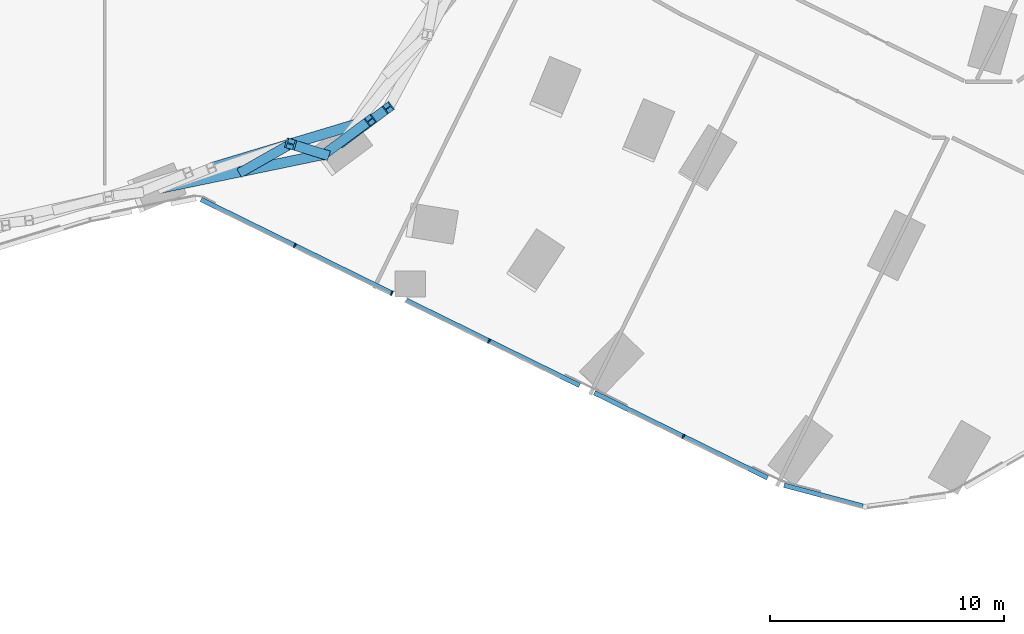
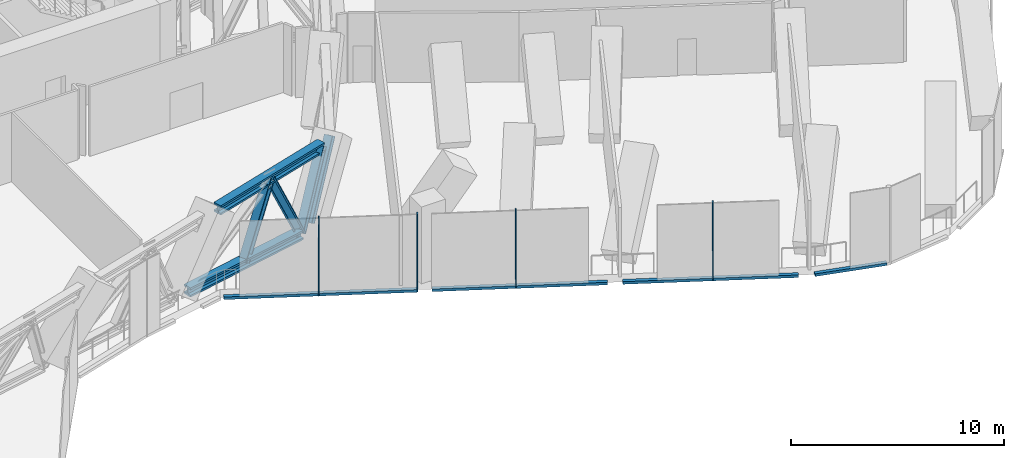
# One storey, part 9 of 34: 14 members, 2 elements without a shape of their own.
"""IFC4 building model written with IfcOpenShell, lengths in metres."""

from ifc_helpers import new_model, si_unit, direction, frame, origin, origin_2d, place, context, subcontext, project, spatial, rectangle, i_section, extrude, material, material_profile, profile_set, type_object, element, aggregate, save


model = new_model("IFC4")

# Units and contexts
model_context = context("Model", 3, precision=1e-05, world=origin(), true_north=direction((0.0, 1.0)))
body_context = subcontext(model_context, "Body", "Model", "MODEL_VIEW")
ifc_project = project(units=[si_unit("LENGTHUNIT", "METRE"), si_unit("AREAUNIT", "SQUARE_METRE"), si_unit("VOLUMEUNIT", "CUBIC_METRE"), si_unit("PLANEANGLEUNIT", "RADIAN"), si_unit("MASSUNIT", "GRAM", prefix="KILO")], contexts=[model_context])

# Site, building, storey
site_placement = place(None, origin())
site = spatial("IfcSite", under=ifc_project, at=site_placement, CompositionType="ELEMENT")
building_placement = place(site_placement, origin())
building = spatial("IfcBuilding", under=site, at=building_placement, Name="Orlundy Tower", CompositionType="ELEMENT")
storey_placement = place(building_placement, frame((0.0, 0.0, 76.300048828125)))
storey = spatial("IfcBuildingStorey", under=building, at=storey_placement, Name="L18", CompositionType="ELEMENT", Elevation=76.300048828125)

# Members
ifc_material_1 = material(Name="Steel ASTM A992 Gr 50", Category="steel")
ifc_material_profile_1 = material_profile(ifc_material_1, i_section(OverallWidth=0.4423828125, OverallDepth=0.531494140625, WebThickness=0.06591796875, FlangeThickness=0.105712890625, at=origin_2d()), Name="W14X605")
ifc_profile_set_1 = profile_set([ifc_material_profile_1], Name="Steel ASTM A992 Gr 50")
member_type_1 = type_object("IfcMemberType", Name="BELT TRUSS chord W14X605", PredefinedType="CHORD", material=ifc_profile_set_1)
member_1_placement = place(storey_placement, frame((10.430908203125, -27.85498046875, 0.28466796875), z_axis=(0.979230535432, 0.202749990079, 0.0), x_axis=(-0.202749990079, 0.979230535432, 0.0)))
element("IfcMember", 1, at=member_1_placement, inside=storey, type_object=member_type_1, Name="Belt truss bottom chord BT-08", PredefinedType="CHORD", context=body_context, shape_type="SweptSolid", body=[
    extrude(i_section(OverallWidth=0.4423828125, OverallDepth=0.531494140625, WebThickness=0.06591796875, FlangeThickness=0.105712890625, at=origin_2d()), origin(), (0.0, 0.0, 1.0), 7.100830078125),
])
member_2_placement = place(storey_placement, frame((12.5517578125, -26.997314453125, 3.715087890625), z_axis=(0.957544786213, 0.288284551089, 0.0), x_axis=(-0.288284551089, 0.957544786213, 0.0)))
element("IfcMember", 2, at=member_2_placement, inside=storey, type_object=member_type_1, Name="Belt truss top chord BT-08", PredefinedType="CHORD", context=body_context, shape_type="SweptSolid", body=[
    extrude(i_section(OverallWidth=0.4423828125, OverallDepth=0.531494140625, WebThickness=0.06591796875, FlangeThickness=0.105712890625, at=origin_2d()), origin(), (0.0, 0.0, 1.0), 7.10107421875),
])
ifc_material_2 = material(Name="Steel ASTM A992 Gr 50", Category="steel")
ifc_material_profile_2 = material_profile(ifc_material_2, i_section(OverallWidth=0.42431640625, OverallDepth=0.47412109375, WebThickness=0.0478515625, FlangeThickness=0.0771484375, at=origin_2d()), Name="W14X426")
ifc_profile_set_2 = profile_set([ifc_material_profile_2], Name="Steel ASTM A992 Gr 50")
member_type_2 = type_object("IfcMemberType", Name="BELT TRUSS diagonal W14X426", PredefinedType="BRACE", material=ifc_profile_set_2)
member_3_placement = place(storey_placement, frame((15.951416015625, -25.973876953125, 3.715087890625), z_axis=(0.382733591363, -0.117904640175, -0.916304258348), x_axis=(0.294406221769, 0.955680373652, 0.0)))
element("IfcMember", 3, at=member_3_placement, inside=storey, type_object=member_type_2, Name="Belt truss diagonal BT-08-1", PredefinedType="BRACE", context=body_context, shape_type="SweptSolid", body=[
    extrude(i_section(OverallWidth=0.42431640625, OverallDepth=0.47412109375, WebThickness=0.0478515625, FlangeThickness=0.0771484375, at=origin_2d()), origin(), (0.0, 0.0, 1.0), 3.74365234375),
])
ifc_material_3 = material(Name="Steel ASTM A992 Gr 50", Category="steel")
ifc_material_profile_3 = material_profile(ifc_material_3, i_section(OverallWidth=0.412109375, OverallDepth=0.434814453125, WebThickness=0.035888671875, FlangeThickness=0.057373046875, at=origin_2d()), Name="W14X311")
ifc_profile_set_3 = profile_set([ifc_material_profile_3], Name="Steel ASTM A992 Gr 50")
member_type_3 = type_object("IfcMemberType", Name="BELT TRUSS post W14X311", PredefinedType="POST", material=ifc_profile_set_3)
member_4_placement = place(storey_placement, frame((13.90771484375, -27.135009765625, 0.28466796875), z_axis=(0.4914571749, 0.279222353819, 0.824927101244), x_axis=(-0.493989777863, 0.869467710365, 0.0)))
element("IfcMember", 4, at=member_4_placement, inside=storey, type_object=member_type_3, Name="Belt truss post BT-08-1", PredefinedType="POST", context=body_context, shape_type="SweptSolid", body=[
    extrude(i_section(OverallWidth=0.412109375, OverallDepth=0.434814453125, WebThickness=0.035888671875, FlangeThickness=0.057373046875, at=origin_2d()), origin(), (0.0, 0.0, 1.0), 4.158447265625),
])
for number, where, z_axis, x_axis, name in (
    (5, (17.38427734375, -26.415283203125, 0.28466796875), (0.466449496325, 0.347420060499, 0.813464300963), (-0.597336986627, 0.801990351817, 0.0), "Belt truss post BT-08-2"),
    (6, (18.159912109375, -25.88818359375, 0.28466796875), (0.466458877726, 0.347369153079, 0.813480661651), (-0.597272958205, 0.802038037376, 0.0), "Belt truss post BT-09-0"),
):
    element("IfcMember", number, at=place(storey_placement, frame(where, z_axis=z_axis, x_axis=x_axis)), inside=storey, type_object=member_type_3, Name=name, PredefinedType="POST", context=body_context, shape_type="SweptSolid", body=[
        extrude(i_section(OverallWidth=0.412109375, OverallDepth=0.434814453125, WebThickness=0.035888671875, FlangeThickness=0.057373046875, at=origin_2d()), origin(), (0.0, 0.0, 1.0), 4.217041015625),
    ])

# Curtain wall, members
ifc_material_4 = material(Name="Aluminium bronze anodised", Category="aluminium")
curtain_wall_type = type_object("IfcCurtainWallType", Name="CW4 wall", PredefinedType="NOTDEFINED", material=ifc_material_4)
curtain_wall_1_placement = place(storey_placement, origin())
curtain_wall_1 = element("IfcCurtainWall", 7, at=curtain_wall_1_placement, inside=storey, type_object=curtain_wall_type, Name="CW4 run 027", PredefinedType="NOTDEFINED")
ifc_material_5 = material(Name="Aluminium bronze anodised", Category="aluminium")
ifc_material_profile_4 = material_profile(ifc_material_5, rectangle(XDim=0.199951171875, YDim=0.06005859375, at=origin_2d()), Name="CW4 mullion 60x200")
ifc_profile_set_4 = profile_set([ifc_material_profile_4], Name="Aluminium bronze anodised")
member_type_4 = type_object("IfcMemberType", Name="CW4 mullion 60x200", PredefinedType="MULLION", material=ifc_profile_set_4)
member_5_placement = place(storey_placement, frame((32.753662109375, -38.48779296875, -0.449951171875), z_axis=(0.0, 0.0, 1.0), x_axis=(-0.440968989984, -0.897522339484, 0.0)))
member_5 = element("IfcMember", 8, at=member_5_placement, type_object=member_type_4, Name="CW4 mullion 43", PredefinedType="MULLION", context=body_context, shape_type="SweptSolid", body=[
    extrude(rectangle(XDim=0.199951171875, YDim=0.06005859375, at=origin_2d()), origin(), (0.0, 0.0, 1.0), 4.449951171875),
])
member_6_placement = place(storey_placement, frame((24.44140625, -34.40380859375, -0.449951171875), z_axis=(0.0, 0.0, 1.0), x_axis=(-0.440968989984, -0.897522339484, 0.0)))
member_6 = element("IfcMember", 9, at=member_6_placement, type_object=member_type_4, Name="CW4 mullion 45", PredefinedType="MULLION", context=body_context, shape_type="SweptSolid", body=[
    extrude(rectangle(XDim=0.199951171875, YDim=0.06005859375, at=origin_2d()), origin(), (0.0, 0.0, 1.0), 4.449951171875),
])
member_7_placement = place(storey_placement, frame((20.28515625, -32.36181640625, -0.449951171875), z_axis=(0.0, 0.0, 1.0), x_axis=(-0.440968989984, -0.897522339484, 0.0)))
member_7 = element("IfcMember", 10, at=member_7_placement, type_object=member_type_4, Name="CW4 mullion 46", PredefinedType="MULLION", context=body_context, shape_type="SweptSolid", body=[
    extrude(rectangle(XDim=0.199951171875, YDim=0.06005859375, at=origin_2d()), origin(), (0.0, 0.0, 1.0), 4.449951171875),
])
member_8_placement = place(storey_placement, frame((16.129150390625, -30.31982421875, -0.449951171875), z_axis=(0.0, 0.0, 1.0), x_axis=(-0.440968989984, -0.897522339484, 0.0)))
member_8 = element("IfcMember", 11, at=member_8_placement, type_object=member_type_4, Name="CW4 mullion 47", PredefinedType="MULLION", context=body_context, shape_type="SweptSolid", body=[
    extrude(rectangle(XDim=0.199951171875, YDim=0.06005859375, at=origin_2d()), origin(), (0.0, 0.0, 1.0), 4.449951171875),
])

# Curtain wall, member
curtain_wall_2_placement = place(storey_placement, origin())
curtain_wall_2 = element("IfcCurtainWall", 12, at=curtain_wall_2_placement, inside=storey, type_object=curtain_wall_type, Name="CW4 run 026", PredefinedType="NOTDEFINED")
ifc_material_6 = material(Name="Aluminium bronze anodised", Category="aluminium")
ifc_material_profile_5 = material_profile(ifc_material_6, rectangle(XDim=0.199951171875, YDim=0.14990234375, at=origin_2d()), Name="CW4 transom 200x150")
ifc_profile_set_5 = profile_set([ifc_material_profile_5], Name="Aluminium bronze anodised")
member_type_5 = type_object("IfcMemberType", Name="CW4 transom 200x150", PredefinedType="USERDEFINED", material=ifc_profile_set_5)
member_9_placement = place(storey_placement, frame((40.431884765625, -41.470947265625, -0.375), z_axis=(-0.966232614003, 0.257671371397, 0.0), x_axis=(-0.257671371397, -0.966232614003, 0.0)))
member_9 = element("IfcMember", 13, at=member_9_placement, type_object=member_type_5, Name="CW4 transom", ObjectType="TRANSOM", PredefinedType="USERDEFINED", context=body_context, shape_type="SweptSolid", body=[
    extrude(rectangle(XDim=0.199951171875, YDim=0.14990234375, at=origin_2d()), origin(), (0.0, 0.0, 1.0), 3.48486328125),
])
aggregate(curtain_wall_2, [member_9])

# Member
member_10_placement = place(storey_placement, frame((36.35791015625, -40.258544921875, -0.375), z_axis=(-0.897516545801, 0.44098078191, 0.0), x_axis=(-0.44098078191, -0.897516545801, 0.0)))
member_10 = element("IfcMember", 14, at=member_10_placement, type_object=member_type_5, Name="CW4 transom", ObjectType="TRANSOM", PredefinedType="USERDEFINED", context=body_context, shape_type="SweptSolid", body=[
    extrude(rectangle(XDim=0.199951171875, YDim=0.14990234375, at=origin_2d()), origin(), (0.0, 0.0, 1.0), 8.255859375),
])

member_11_placement = place(storey_placement, frame((28.31103515625, -36.304931640625, -0.375), z_axis=(-0.897527842773, 0.440957788736, 0.0), x_axis=(-0.440957788736, -0.897527842773, 0.0)))
member_11 = element("IfcMember", 15, at=member_11_placement, type_object=member_type_5, Name="CW4 transom", ObjectType="TRANSOM", PredefinedType="USERDEFINED", context=body_context, shape_type="SweptSolid", body=[
    extrude(rectangle(XDim=0.199951171875, YDim=0.14990234375, at=origin_2d()), origin(), (0.0, 0.0, 1.0), 8.2568359375),
])

member_12_placement = place(storey_placement, frame((20.262939453125, -32.350830078125, -0.375), z_axis=(-0.897525565965, 0.440962422933, 0.0), x_axis=(-0.440962422933, -0.897525565965, 0.0)))
member_12 = element("IfcMember", 16, at=member_12_placement, type_object=member_type_5, Name="CW4 transom", ObjectType="TRANSOM", PredefinedType="USERDEFINED", context=body_context, shape_type="SweptSolid", body=[
    extrude(rectangle(XDim=0.199951171875, YDim=0.14990234375, at=origin_2d()), origin(), (0.0, 0.0, 1.0), 9.07666015625),
])

aggregate(curtain_wall_1, [member_5, member_6, member_7, member_8, member_10, member_11, member_12])

save(model, "model.ifc")
